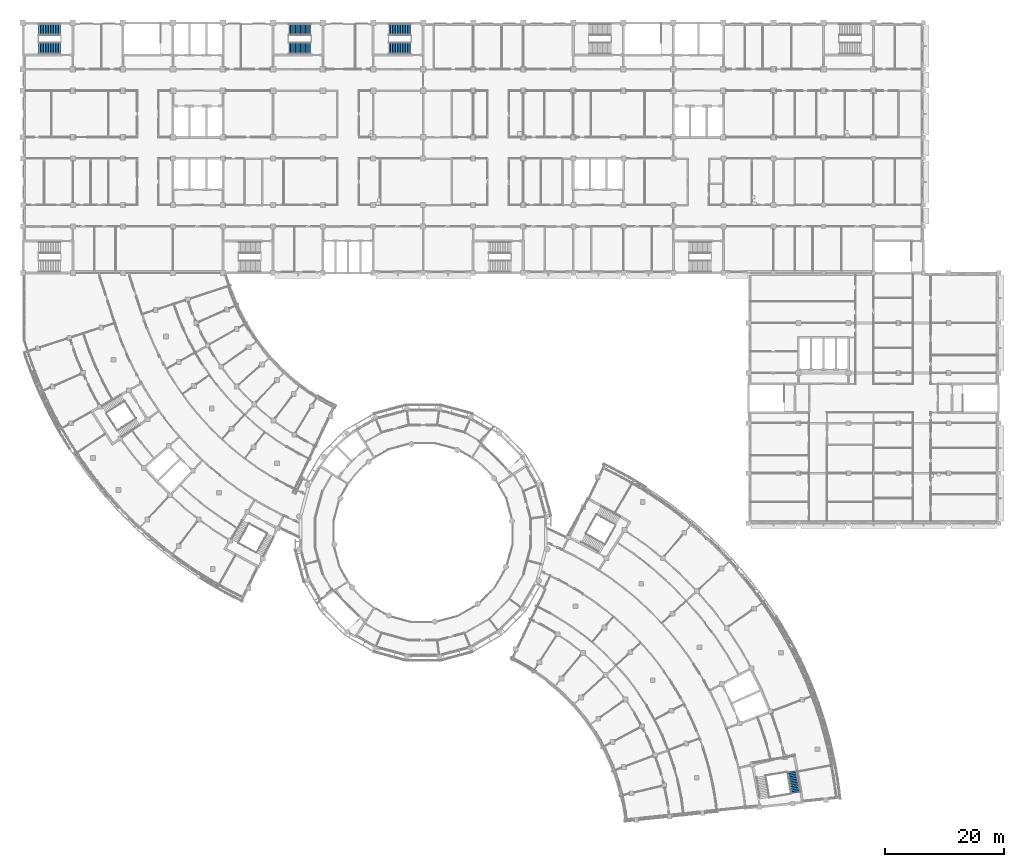
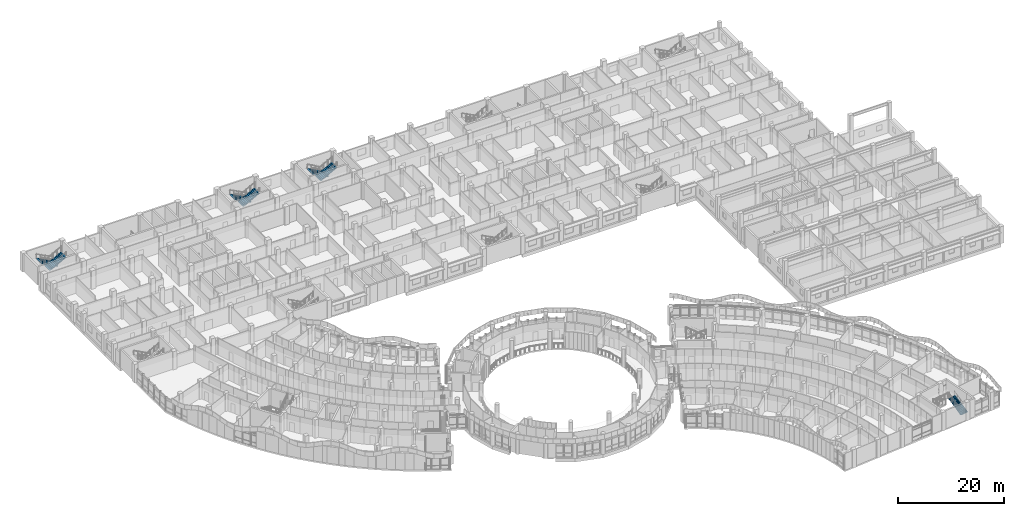
# One storey, part 78 of 109: 7 stair flights, 4 elements without a shape of their own.
"""IFC4 building model written with IfcOpenShell, lengths in metres."""

from ifc_helpers import new_model, si_unit, direction, frame, origin, place, context, subcontext, project, spatial, polyline, outline, extrude, material, type_object, element, aggregate, save


model = new_model("IFC4")

# Units and contexts
model_context = context("Model", 3, precision=1e-05, world=origin(), true_north=direction((0.0, 1.0)))
body_context = subcontext(model_context, "Body", "Model", "MODEL_VIEW")
ifc_project = project(units=[si_unit("LENGTHUNIT", "METRE"), si_unit("AREAUNIT", "SQUARE_METRE"), si_unit("VOLUMEUNIT", "CUBIC_METRE"), si_unit("PLANEANGLEUNIT", "RADIAN"), si_unit("MASSUNIT", "GRAM", prefix="KILO")], contexts=[model_context])

# Site, building, storey
site_placement = place(None, origin())
site = spatial("IfcSite", under=ifc_project, at=site_placement, CompositionType="ELEMENT")
building_placement = place(site_placement, origin())
building = spatial("IfcBuilding", under=site, at=building_placement, Name="Bougainvillea Quay General Hospital", CompositionType="ELEMENT")
storey_placement = place(building_placement, frame((0.0, 0.0, 12.60009765625)))
storey = spatial("IfcBuildingStorey", under=building, at=storey_placement, Name="L02", CompositionType="ELEMENT", Elevation=12.60009765625)

# Stair, stair flight
ifc_material = material(Name="Concrete C35", Category="concrete")
stair_type_1 = type_object("IfcStairType", Name="Stair half-turn 1650 wide", PredefinedType="HALF_TURN_STAIR", material=ifc_material)
stair_1_placement = place(storey_placement, origin())
stair_1 = element("IfcStair", 1, at=stair_1_placement, inside=storey, type_object=stair_type_1, Name="L02 stair ST-E2", PredefinedType="HALF_TURN_STAIR")
stair_flight_type_1 = type_object("IfcStairFlightType", Name="Stair flight 1650", PredefinedType="STRAIGHT", material=ifc_material)
stair_flight_1_placement = place(storey_placement, frame((171.761474609375, 30.370849609375, 0.0), z_axis=(0.0, 0.0, 1.0), x_axis=(-0.167737267749, 0.985831734632, 0.0)))
stair_flight_1 = element("IfcStairFlight", 2, at=stair_flight_1_placement, type_object=stair_flight_type_1, Name="ST-E2 flight 1", NumberOfRisers=14, NumberOfTreads=13, PredefinedType="STRAIGHT", RiserHeight=0.15, TreadLength=0.28, context=body_context, shape_type="SweptSolid", body=[
    extrude(outline(polyline([(-0.0029296875, 0.0), (-0.0029296875, 0.003662109375), (-0.0029296875, 0.00732421875), (-0.0029296875, 0.010986328125), (-0.0029296875, 0.0146484375), (-0.0029296875, 0.018310546875), (-0.0029296875, 0.02197265625), (-0.0029296875, 0.025634765625), (-0.0029296875, 0.029296875), (-0.0029296875, 0.032958984375), (-0.0029296875, 0.03662109375), (-0.0029296875, 0.040283203125), (-0.0029296875, 0.0439453125), (-0.0029296875, 0.047607421875), (-0.0029296875, 0.05126953125), (-0.0029296875, 0.054931640625), (-0.0029296875, 0.05859375), (-0.0029296875, 0.062255859375), (-0.0029296875, 0.06591796875), (-0.0029296875, 0.069580078125), (-0.0029296875, 0.0732421875), (-0.0029296875, 0.076904296875), (-0.0029296875, 0.08056640625), (-0.0029296875, 0.084228515625), (-0.0029296875, 0.087890625), (-0.0029296875, 0.091552734375), (-0.0029296875, 0.09521484375), (-0.0029296875, 0.098876953125), (-0.0029296875, 0.1025390625), (-0.0029296875, 0.106201171875), (-0.0029296875, 0.10986328125), (-0.0029296875, 0.113525390625), (-0.0029296875, 0.1171875), (-0.0029296875, 0.120849609375), (-0.0029296875, 0.12451171875), (-0.0029296875, 0.1279296875), (-0.0029296875, 0.131591796875), (-0.0029296875, 0.13525390625), (-0.0029296875, 0.138916015625), (-0.0029296875, 0.142578125), (-0.0029296875, 0.146240234375), (-0.0029296875, 0.14990234375), (0.280029296875, 0.14990234375), (0.280029296875, 0.300048828125), (0.56005859375, 0.300048828125), (0.56005859375, 0.449951171875), (0.840087890625, 0.449951171875), (0.840087890625, 0.60009765625), (1.1201171875, 0.60009765625), (1.1201171875, 0.75), (1.39990234375, 0.75), (1.39990234375, 0.89990234375), (1.679931640625, 0.89990234375), (1.679931640625, 1.050048828125), (1.9599609375, 1.050048828125), (1.9599609375, 1.199951171875), (2.239990234375, 1.199951171875), (2.239990234375, 1.35009765625), (2.52001953125, 1.35009765625), (2.52001953125, 1.5), (2.800048828125, 1.5), (2.800048828125, 1.64990234375), (3.080078125, 1.64990234375), (3.080078125, 1.800048828125), (3.360107421875, 1.800048828125), (3.360107421875, 1.949951171875), (3.64306640625, 1.949951171875), (3.64306640625, 1.94580078125), (3.64306640625, 1.941650390625), (3.64306640625, 1.9375), (3.64306640625, 1.933349609375), (3.64306640625, 1.92919921875), (3.64306640625, 1.925048828125), (3.64306640625, 1.9208984375), (3.64306640625, 1.916748046875), (3.64306640625, 1.91259765625), (3.64306640625, 1.908447265625), (3.64306640625, 1.904296875), (3.64306640625, 1.900146484375), (3.64306640625, 1.89599609375), (3.64306640625, 1.891845703125), (3.64306640625, 1.8876953125), (3.64306640625, 1.883544921875), (3.64306640625, 1.87939453125), (3.64306640625, 1.875244140625), (3.64306640625, 1.87109375), (3.64306640625, 1.866943359375), (3.64306640625, 1.86279296875), (3.64306640625, 1.858642578125), (3.64306640625, 1.8544921875), (3.64306640625, 1.850341796875), (3.64306640625, 1.84619140625), (3.64306640625, 1.842041015625), (3.64306640625, 1.837890625), (3.64306640625, 1.833984375), (3.64306640625, 1.829833984375), (3.64306640625, 1.82568359375), (3.64306640625, 1.821533203125), (3.64306640625, 1.8173828125), (3.64306640625, 1.813232421875), (3.64306640625, 1.80908203125), (3.64306640625, 1.804931640625), (3.64306640625, 1.80078125), (3.64306640625, 1.796630859375), (3.64306640625, 1.79248046875), (3.64306640625, 1.788330078125), (3.64306640625, 1.7841796875), (3.64306640625, 1.780029296875), (0.3173828125, 0.0), (-0.0029296875, 0.0)])), frame((0.0, 0.824951171875, 0.0), z_axis=(0.0, -1.0, 0.0), x_axis=(1.0, 0.0, 0.0)), (0.0, 0.0, 1.0), 1.64990234375),
])
aggregate(stair_1, [stair_flight_1])

# Stair, stair flights
stair_type_2 = type_object("IfcStairType", Name="Stair half-turn 1925 wide", PredefinedType="HALF_TURN_STAIR", material=ifc_material)
stair_2_placement = place(storey_placement, origin())
stair_2 = element("IfcStair", 3, at=stair_2_placement, inside=storey, type_object=stair_type_2, Name="L02 stair ST-A1", PredefinedType="HALF_TURN_STAIR")
stair_flight_type_2 = type_object("IfcStairFlightType", Name="Stair flight 1925", PredefinedType="STRAIGHT", material=ifc_material)
stair_flight_2_placement = place(storey_placement, frame((48.300048828125, 158.46240234375, 0.0), z_axis=(0.0, 0.0, 1.0), x_axis=(-1.0, 0.0, 0.0)))
stair_flight_2 = element("IfcStairFlight", 4, at=stair_flight_2_placement, type_object=stair_flight_type_2, Name="ST-A1 flight 1", NumberOfRisers=14, NumberOfTreads=13, PredefinedType="STRAIGHT", RiserHeight=0.15, TreadLength=0.28, context=body_context, shape_type="SweptSolid", body=[
    extrude(outline(polyline([(-0.0029296875, 0.0), (-0.0029296875, 0.003662109375), (-0.0029296875, 0.00732421875), (-0.0029296875, 0.010986328125), (-0.0029296875, 0.0146484375), (-0.0029296875, 0.018310546875), (-0.0029296875, 0.02197265625), (-0.0029296875, 0.025634765625), (-0.0029296875, 0.029296875), (-0.0029296875, 0.032958984375), (-0.0029296875, 0.03662109375), (-0.0029296875, 0.040283203125), (-0.0029296875, 0.0439453125), (-0.0029296875, 0.047607421875), (-0.0029296875, 0.05126953125), (-0.0029296875, 0.054931640625), (-0.0029296875, 0.05859375), (-0.0029296875, 0.062255859375), (-0.0029296875, 0.06591796875), (-0.0029296875, 0.069580078125), (-0.0029296875, 0.0732421875), (-0.0029296875, 0.076904296875), (-0.0029296875, 0.08056640625), (-0.0029296875, 0.084228515625), (-0.0029296875, 0.087890625), (-0.0029296875, 0.091552734375), (-0.0029296875, 0.09521484375), (-0.0029296875, 0.098876953125), (-0.0029296875, 0.1025390625), (-0.0029296875, 0.106201171875), (-0.0029296875, 0.10986328125), (-0.0029296875, 0.113525390625), (-0.0029296875, 0.1171875), (-0.0029296875, 0.120849609375), (-0.0029296875, 0.12451171875), (-0.0029296875, 0.1279296875), (-0.0029296875, 0.131591796875), (-0.0029296875, 0.13525390625), (-0.0029296875, 0.138916015625), (-0.0029296875, 0.142578125), (-0.0029296875, 0.146240234375), (-0.0029296875, 0.14990234375), (0.280029296875, 0.14990234375), (0.280029296875, 0.300048828125), (0.56005859375, 0.300048828125), (0.56005859375, 0.449951171875), (0.840087890625, 0.449951171875), (0.840087890625, 0.60009765625), (1.1201171875, 0.60009765625), (1.1201171875, 0.75), (1.39990234375, 0.75), (1.39990234375, 0.89990234375), (1.679931640625, 0.89990234375), (1.679931640625, 1.050048828125), (1.9599609375, 1.050048828125), (1.9599609375, 1.199951171875), (2.239990234375, 1.199951171875), (2.239990234375, 1.35009765625), (2.52001953125, 1.35009765625), (2.52001953125, 1.5), (2.800048828125, 1.5), (2.800048828125, 1.64990234375), (3.080078125, 1.64990234375), (3.080078125, 1.800048828125), (3.360107421875, 1.800048828125), (3.360107421875, 1.949951171875), (3.64306640625, 1.949951171875), (3.64306640625, 1.94580078125), (3.64306640625, 1.941650390625), (3.64306640625, 1.9375), (3.64306640625, 1.933349609375), (3.64306640625, 1.92919921875), (3.64306640625, 1.925048828125), (3.64306640625, 1.9208984375), (3.64306640625, 1.916748046875), (3.64306640625, 1.91259765625), (3.64306640625, 1.908447265625), (3.64306640625, 1.904296875), (3.64306640625, 1.900146484375), (3.64306640625, 1.89599609375), (3.64306640625, 1.891845703125), (3.64306640625, 1.8876953125), (3.64306640625, 1.883544921875), (3.64306640625, 1.87939453125), (3.64306640625, 1.875244140625), (3.64306640625, 1.87109375), (3.64306640625, 1.866943359375), (3.64306640625, 1.86279296875), (3.64306640625, 1.858642578125), (3.64306640625, 1.8544921875), (3.64306640625, 1.850341796875), (3.64306640625, 1.84619140625), (3.64306640625, 1.842041015625), (3.64306640625, 1.837890625), (3.64306640625, 1.833984375), (3.64306640625, 1.829833984375), (3.64306640625, 1.82568359375), (3.64306640625, 1.821533203125), (3.64306640625, 1.8173828125), (3.64306640625, 1.813232421875), (3.64306640625, 1.80908203125), (3.64306640625, 1.804931640625), (3.64306640625, 1.80078125), (3.64306640625, 1.796630859375), (3.64306640625, 1.79248046875), (3.64306640625, 1.788330078125), (3.64306640625, 1.7841796875), (3.64306640625, 1.780029296875), (0.3173828125, 0.0), (-0.0029296875, 0.0)])), frame((0.0, 0.96240234375, 0.0), z_axis=(0.0, -1.0, 0.0), x_axis=(1.0, 0.0, 0.0)), (0.0, 0.0, 1.0), 1.925048828125),
])
stair_flight_3_placement = place(storey_placement, frame((44.659912109375, 155.33740234375, 2.099853515625), z_axis=(0.0, 0.0, 1.0), x_axis=(1.0, 0.0, 0.0)))
stair_flight_3 = element("IfcStairFlight", 5, at=stair_flight_3_placement, type_object=stair_flight_type_2, Name="ST-A1 flight 2", NumberOfRisers=14, NumberOfTreads=13, PredefinedType="STRAIGHT", RiserHeight=0.15, TreadLength=0.28, context=body_context, shape_type="SweptSolid", body=[
    extrude(outline(polyline([(-0.0029296875, 0.0), (-0.0029296875, 0.003662109375), (-0.0029296875, 0.00732421875), (-0.0029296875, 0.010986328125), (-0.0029296875, 0.0146484375), (-0.0029296875, 0.018310546875), (-0.0029296875, 0.02197265625), (-0.0029296875, 0.025634765625), (-0.0029296875, 0.029296875), (-0.0029296875, 0.032958984375), (-0.0029296875, 0.03662109375), (-0.0029296875, 0.040283203125), (-0.0029296875, 0.0439453125), (-0.0029296875, 0.047607421875), (-0.0029296875, 0.05126953125), (-0.0029296875, 0.054931640625), (-0.0029296875, 0.05859375), (-0.0029296875, 0.062255859375), (-0.0029296875, 0.06591796875), (-0.0029296875, 0.069580078125), (-0.0029296875, 0.0732421875), (-0.0029296875, 0.076904296875), (-0.0029296875, 0.08056640625), (-0.0029296875, 0.084228515625), (-0.0029296875, 0.087890625), (-0.0029296875, 0.091552734375), (-0.0029296875, 0.09521484375), (-0.0029296875, 0.098876953125), (-0.0029296875, 0.1025390625), (-0.0029296875, 0.106201171875), (-0.0029296875, 0.10986328125), (-0.0029296875, 0.113525390625), (-0.0029296875, 0.1171875), (-0.0029296875, 0.120849609375), (-0.0029296875, 0.12451171875), (-0.0029296875, 0.1279296875), (-0.0029296875, 0.131591796875), (-0.0029296875, 0.13525390625), (-0.0029296875, 0.138916015625), (-0.0029296875, 0.142578125), (-0.0029296875, 0.146240234375), (-0.0029296875, 0.14990234375), (0.280029296875, 0.14990234375), (0.280029296875, 0.300048828125), (0.56005859375, 0.300048828125), (0.56005859375, 0.449951171875), (0.840087890625, 0.449951171875), (0.840087890625, 0.60009765625), (1.1201171875, 0.60009765625), (1.1201171875, 0.75), (1.39990234375, 0.75), (1.39990234375, 0.89990234375), (1.679931640625, 0.89990234375), (1.679931640625, 1.050048828125), (1.9599609375, 1.050048828125), (1.9599609375, 1.199951171875), (2.239990234375, 1.199951171875), (2.239990234375, 1.35009765625), (2.52001953125, 1.35009765625), (2.52001953125, 1.5), (2.800048828125, 1.5), (2.800048828125, 1.64990234375), (3.080078125, 1.64990234375), (3.080078125, 1.800048828125), (3.360107421875, 1.800048828125), (3.360107421875, 1.949951171875), (3.64306640625, 1.949951171875), (3.64306640625, 1.94580078125), (3.64306640625, 1.941650390625), (3.64306640625, 1.9375), (3.64306640625, 1.933349609375), (3.64306640625, 1.92919921875), (3.64306640625, 1.925048828125), (3.64306640625, 1.9208984375), (3.64306640625, 1.916748046875), (3.64306640625, 1.91259765625), (3.64306640625, 1.908447265625), (3.64306640625, 1.904296875), (3.64306640625, 1.900146484375), (3.64306640625, 1.89599609375), (3.64306640625, 1.891845703125), (3.64306640625, 1.8876953125), (3.64306640625, 1.883544921875), (3.64306640625, 1.87939453125), (3.64306640625, 1.875244140625), (3.64306640625, 1.87109375), (3.64306640625, 1.866943359375), (3.64306640625, 1.86279296875), (3.64306640625, 1.858642578125), (3.64306640625, 1.8544921875), (3.64306640625, 1.850341796875), (3.64306640625, 1.84619140625), (3.64306640625, 1.842041015625), (3.64306640625, 1.837890625), (3.64306640625, 1.833984375), (3.64306640625, 1.829833984375), (3.64306640625, 1.82568359375), (3.64306640625, 1.821533203125), (3.64306640625, 1.8173828125), (3.64306640625, 1.813232421875), (3.64306640625, 1.80908203125), (3.64306640625, 1.804931640625), (3.64306640625, 1.80078125), (3.64306640625, 1.796630859375), (3.64306640625, 1.79248046875), (3.64306640625, 1.788330078125), (3.64306640625, 1.7841796875), (3.64306640625, 1.780029296875), (0.3173828125, 0.0), (-0.0029296875, 0.0)])), frame((0.0, 0.96240234375, 0.0), z_axis=(0.0, -1.0, 0.0), x_axis=(1.0, 0.0, 0.0)), (0.0, 0.0, 1.0), 1.925048828125),
])
aggregate(stair_2, [stair_flight_2, stair_flight_3])

stair_3_placement = place(storey_placement, origin())
stair_3 = element("IfcStair", 6, at=stair_3_placement, inside=storey, type_object=stair_type_2, Name="L02 stair ST-A2", PredefinedType="HALF_TURN_STAIR")
stair_flight_4_placement = place(storey_placement, frame((90.300048828125, 158.46240234375, 0.0), z_axis=(0.0, 0.0, 1.0), x_axis=(-1.0, 0.0, 0.0)))
stair_flight_4 = element("IfcStairFlight", 7, at=stair_flight_4_placement, type_object=stair_flight_type_2, Name="ST-A2 flight 1", NumberOfRisers=14, NumberOfTreads=13, PredefinedType="STRAIGHT", RiserHeight=0.15, TreadLength=0.28, context=body_context, shape_type="SweptSolid", body=[
    extrude(outline(polyline([(-0.0029296875, 0.0), (-0.0029296875, 0.003662109375), (-0.0029296875, 0.00732421875), (-0.0029296875, 0.010986328125), (-0.0029296875, 0.0146484375), (-0.0029296875, 0.018310546875), (-0.0029296875, 0.02197265625), (-0.0029296875, 0.025634765625), (-0.0029296875, 0.029296875), (-0.0029296875, 0.032958984375), (-0.0029296875, 0.03662109375), (-0.0029296875, 0.040283203125), (-0.0029296875, 0.0439453125), (-0.0029296875, 0.047607421875), (-0.0029296875, 0.05126953125), (-0.0029296875, 0.054931640625), (-0.0029296875, 0.05859375), (-0.0029296875, 0.062255859375), (-0.0029296875, 0.06591796875), (-0.0029296875, 0.069580078125), (-0.0029296875, 0.0732421875), (-0.0029296875, 0.076904296875), (-0.0029296875, 0.08056640625), (-0.0029296875, 0.084228515625), (-0.0029296875, 0.087890625), (-0.0029296875, 0.091552734375), (-0.0029296875, 0.09521484375), (-0.0029296875, 0.098876953125), (-0.0029296875, 0.1025390625), (-0.0029296875, 0.106201171875), (-0.0029296875, 0.10986328125), (-0.0029296875, 0.113525390625), (-0.0029296875, 0.1171875), (-0.0029296875, 0.120849609375), (-0.0029296875, 0.12451171875), (-0.0029296875, 0.1279296875), (-0.0029296875, 0.131591796875), (-0.0029296875, 0.13525390625), (-0.0029296875, 0.138916015625), (-0.0029296875, 0.142578125), (-0.0029296875, 0.146240234375), (-0.0029296875, 0.14990234375), (0.280029296875, 0.14990234375), (0.280029296875, 0.300048828125), (0.56005859375, 0.300048828125), (0.56005859375, 0.449951171875), (0.840087890625, 0.449951171875), (0.840087890625, 0.60009765625), (1.1201171875, 0.60009765625), (1.1201171875, 0.75), (1.39990234375, 0.75), (1.39990234375, 0.89990234375), (1.679931640625, 0.89990234375), (1.679931640625, 1.050048828125), (1.9599609375, 1.050048828125), (1.9599609375, 1.199951171875), (2.239990234375, 1.199951171875), (2.239990234375, 1.35009765625), (2.52001953125, 1.35009765625), (2.52001953125, 1.5), (2.800048828125, 1.5), (2.800048828125, 1.64990234375), (3.080078125, 1.64990234375), (3.080078125, 1.800048828125), (3.360107421875, 1.800048828125), (3.360107421875, 1.949951171875), (3.64306640625, 1.949951171875), (3.64306640625, 1.94580078125), (3.64306640625, 1.941650390625), (3.64306640625, 1.9375), (3.64306640625, 1.933349609375), (3.64306640625, 1.92919921875), (3.64306640625, 1.925048828125), (3.64306640625, 1.9208984375), (3.64306640625, 1.916748046875), (3.64306640625, 1.91259765625), (3.64306640625, 1.908447265625), (3.64306640625, 1.904296875), (3.64306640625, 1.900146484375), (3.64306640625, 1.89599609375), (3.64306640625, 1.891845703125), (3.64306640625, 1.8876953125), (3.64306640625, 1.883544921875), (3.64306640625, 1.87939453125), (3.64306640625, 1.875244140625), (3.64306640625, 1.87109375), (3.64306640625, 1.866943359375), (3.64306640625, 1.86279296875), (3.64306640625, 1.858642578125), (3.64306640625, 1.8544921875), (3.64306640625, 1.850341796875), (3.64306640625, 1.84619140625), (3.64306640625, 1.842041015625), (3.64306640625, 1.837890625), (3.64306640625, 1.833984375), (3.64306640625, 1.829833984375), (3.64306640625, 1.82568359375), (3.64306640625, 1.821533203125), (3.64306640625, 1.8173828125), (3.64306640625, 1.813232421875), (3.64306640625, 1.80908203125), (3.64306640625, 1.804931640625), (3.64306640625, 1.80078125), (3.64306640625, 1.796630859375), (3.64306640625, 1.79248046875), (3.64306640625, 1.788330078125), (3.64306640625, 1.7841796875), (3.64306640625, 1.780029296875), (0.3173828125, 0.0), (-0.0029296875, 0.0)])), frame((0.0, 0.96240234375, 0.0), z_axis=(0.0, -1.0, 0.0), x_axis=(1.0, 0.0, 0.0)), (0.0, 0.0, 1.0), 1.925048828125),
])
stair_flight_5_placement = place(storey_placement, frame((86.659912109375, 155.33740234375, 2.099853515625), z_axis=(0.0, 0.0, 1.0), x_axis=(1.0, 0.0, 0.0)))
stair_flight_5 = element("IfcStairFlight", 8, at=stair_flight_5_placement, type_object=stair_flight_type_2, Name="ST-A2 flight 2", NumberOfRisers=14, NumberOfTreads=13, PredefinedType="STRAIGHT", RiserHeight=0.15, TreadLength=0.28, context=body_context, shape_type="SweptSolid", body=[
    extrude(outline(polyline([(-0.0029296875, 0.0), (-0.0029296875, 0.003662109375), (-0.0029296875, 0.00732421875), (-0.0029296875, 0.010986328125), (-0.0029296875, 0.0146484375), (-0.0029296875, 0.018310546875), (-0.0029296875, 0.02197265625), (-0.0029296875, 0.025634765625), (-0.0029296875, 0.029296875), (-0.0029296875, 0.032958984375), (-0.0029296875, 0.03662109375), (-0.0029296875, 0.040283203125), (-0.0029296875, 0.0439453125), (-0.0029296875, 0.047607421875), (-0.0029296875, 0.05126953125), (-0.0029296875, 0.054931640625), (-0.0029296875, 0.05859375), (-0.0029296875, 0.062255859375), (-0.0029296875, 0.06591796875), (-0.0029296875, 0.069580078125), (-0.0029296875, 0.0732421875), (-0.0029296875, 0.076904296875), (-0.0029296875, 0.08056640625), (-0.0029296875, 0.084228515625), (-0.0029296875, 0.087890625), (-0.0029296875, 0.091552734375), (-0.0029296875, 0.09521484375), (-0.0029296875, 0.098876953125), (-0.0029296875, 0.1025390625), (-0.0029296875, 0.106201171875), (-0.0029296875, 0.10986328125), (-0.0029296875, 0.113525390625), (-0.0029296875, 0.1171875), (-0.0029296875, 0.120849609375), (-0.0029296875, 0.12451171875), (-0.0029296875, 0.1279296875), (-0.0029296875, 0.131591796875), (-0.0029296875, 0.13525390625), (-0.0029296875, 0.138916015625), (-0.0029296875, 0.142578125), (-0.0029296875, 0.146240234375), (-0.0029296875, 0.14990234375), (0.280029296875, 0.14990234375), (0.280029296875, 0.300048828125), (0.56005859375, 0.300048828125), (0.56005859375, 0.449951171875), (0.840087890625, 0.449951171875), (0.840087890625, 0.60009765625), (1.1201171875, 0.60009765625), (1.1201171875, 0.75), (1.39990234375, 0.75), (1.39990234375, 0.89990234375), (1.679931640625, 0.89990234375), (1.679931640625, 1.050048828125), (1.9599609375, 1.050048828125), (1.9599609375, 1.199951171875), (2.239990234375, 1.199951171875), (2.239990234375, 1.35009765625), (2.52001953125, 1.35009765625), (2.52001953125, 1.5), (2.800048828125, 1.5), (2.800048828125, 1.64990234375), (3.080078125, 1.64990234375), (3.080078125, 1.800048828125), (3.360107421875, 1.800048828125), (3.360107421875, 1.949951171875), (3.64306640625, 1.949951171875), (3.64306640625, 1.94580078125), (3.64306640625, 1.941650390625), (3.64306640625, 1.9375), (3.64306640625, 1.933349609375), (3.64306640625, 1.92919921875), (3.64306640625, 1.925048828125), (3.64306640625, 1.9208984375), (3.64306640625, 1.916748046875), (3.64306640625, 1.91259765625), (3.64306640625, 1.908447265625), (3.64306640625, 1.904296875), (3.64306640625, 1.900146484375), (3.64306640625, 1.89599609375), (3.64306640625, 1.891845703125), (3.64306640625, 1.8876953125), (3.64306640625, 1.883544921875), (3.64306640625, 1.87939453125), (3.64306640625, 1.875244140625), (3.64306640625, 1.87109375), (3.64306640625, 1.866943359375), (3.64306640625, 1.86279296875), (3.64306640625, 1.858642578125), (3.64306640625, 1.8544921875), (3.64306640625, 1.850341796875), (3.64306640625, 1.84619140625), (3.64306640625, 1.842041015625), (3.64306640625, 1.837890625), (3.64306640625, 1.833984375), (3.64306640625, 1.829833984375), (3.64306640625, 1.82568359375), (3.64306640625, 1.821533203125), (3.64306640625, 1.8173828125), (3.64306640625, 1.813232421875), (3.64306640625, 1.80908203125), (3.64306640625, 1.804931640625), (3.64306640625, 1.80078125), (3.64306640625, 1.796630859375), (3.64306640625, 1.79248046875), (3.64306640625, 1.788330078125), (3.64306640625, 1.7841796875), (3.64306640625, 1.780029296875), (0.3173828125, 0.0), (-0.0029296875, 0.0)])), frame((0.0, 0.96240234375, 0.0), z_axis=(0.0, -1.0, 0.0), x_axis=(1.0, 0.0, 0.0)), (0.0, 0.0, 1.0), 1.925048828125),
])
aggregate(stair_3, [stair_flight_4, stair_flight_5])

stair_4_placement = place(storey_placement, origin())
stair_4 = element("IfcStair", 9, at=stair_4_placement, inside=storey, type_object=stair_type_2, Name="L02 stair ST-A5", PredefinedType="HALF_TURN_STAIR")
stair_flight_6_placement = place(storey_placement, frame((107.10009765625, 158.46240234375, 0.0), z_axis=(0.0, 0.0, 1.0), x_axis=(-1.0, 0.0, 0.0)))
stair_flight_6 = element("IfcStairFlight", 10, at=stair_flight_6_placement, type_object=stair_flight_type_2, Name="ST-A5 flight 1", NumberOfRisers=14, NumberOfTreads=13, PredefinedType="STRAIGHT", RiserHeight=0.15, TreadLength=0.28, context=body_context, shape_type="SweptSolid", body=[
    extrude(outline(polyline([(-0.0029296875, 0.0), (-0.0029296875, 0.003662109375), (-0.0029296875, 0.00732421875), (-0.0029296875, 0.010986328125), (-0.0029296875, 0.0146484375), (-0.0029296875, 0.018310546875), (-0.0029296875, 0.02197265625), (-0.0029296875, 0.025634765625), (-0.0029296875, 0.029296875), (-0.0029296875, 0.032958984375), (-0.0029296875, 0.03662109375), (-0.0029296875, 0.040283203125), (-0.0029296875, 0.0439453125), (-0.0029296875, 0.047607421875), (-0.0029296875, 0.05126953125), (-0.0029296875, 0.054931640625), (-0.0029296875, 0.05859375), (-0.0029296875, 0.062255859375), (-0.0029296875, 0.06591796875), (-0.0029296875, 0.069580078125), (-0.0029296875, 0.0732421875), (-0.0029296875, 0.076904296875), (-0.0029296875, 0.08056640625), (-0.0029296875, 0.084228515625), (-0.0029296875, 0.087890625), (-0.0029296875, 0.091552734375), (-0.0029296875, 0.09521484375), (-0.0029296875, 0.098876953125), (-0.0029296875, 0.1025390625), (-0.0029296875, 0.106201171875), (-0.0029296875, 0.10986328125), (-0.0029296875, 0.113525390625), (-0.0029296875, 0.1171875), (-0.0029296875, 0.120849609375), (-0.0029296875, 0.12451171875), (-0.0029296875, 0.1279296875), (-0.0029296875, 0.131591796875), (-0.0029296875, 0.13525390625), (-0.0029296875, 0.138916015625), (-0.0029296875, 0.142578125), (-0.0029296875, 0.146240234375), (-0.0029296875, 0.14990234375), (0.280029296875, 0.14990234375), (0.280029296875, 0.300048828125), (0.56005859375, 0.300048828125), (0.56005859375, 0.449951171875), (0.840087890625, 0.449951171875), (0.840087890625, 0.60009765625), (1.1201171875, 0.60009765625), (1.1201171875, 0.75), (1.39990234375, 0.75), (1.39990234375, 0.89990234375), (1.679931640625, 0.89990234375), (1.679931640625, 1.050048828125), (1.9599609375, 1.050048828125), (1.9599609375, 1.199951171875), (2.239990234375, 1.199951171875), (2.239990234375, 1.35009765625), (2.52001953125, 1.35009765625), (2.52001953125, 1.5), (2.800048828125, 1.5), (2.800048828125, 1.64990234375), (3.080078125, 1.64990234375), (3.080078125, 1.800048828125), (3.360107421875, 1.800048828125), (3.360107421875, 1.949951171875), (3.64306640625, 1.949951171875), (3.64306640625, 1.94580078125), (3.64306640625, 1.941650390625), (3.64306640625, 1.9375), (3.64306640625, 1.933349609375), (3.64306640625, 1.92919921875), (3.64306640625, 1.925048828125), (3.64306640625, 1.9208984375), (3.64306640625, 1.916748046875), (3.64306640625, 1.91259765625), (3.64306640625, 1.908447265625), (3.64306640625, 1.904296875), (3.64306640625, 1.900146484375), (3.64306640625, 1.89599609375), (3.64306640625, 1.891845703125), (3.64306640625, 1.8876953125), (3.64306640625, 1.883544921875), (3.64306640625, 1.87939453125), (3.64306640625, 1.875244140625), (3.64306640625, 1.87109375), (3.64306640625, 1.866943359375), (3.64306640625, 1.86279296875), (3.64306640625, 1.858642578125), (3.64306640625, 1.8544921875), (3.64306640625, 1.850341796875), (3.64306640625, 1.84619140625), (3.64306640625, 1.842041015625), (3.64306640625, 1.837890625), (3.64306640625, 1.833984375), (3.64306640625, 1.829833984375), (3.64306640625, 1.82568359375), (3.64306640625, 1.821533203125), (3.64306640625, 1.8173828125), (3.64306640625, 1.813232421875), (3.64306640625, 1.80908203125), (3.64306640625, 1.804931640625), (3.64306640625, 1.80078125), (3.64306640625, 1.796630859375), (3.64306640625, 1.79248046875), (3.64306640625, 1.788330078125), (3.64306640625, 1.7841796875), (3.64306640625, 1.780029296875), (0.3173828125, 0.0), (-0.0029296875, 0.0)])), frame((0.0, 0.96240234375, 0.0), z_axis=(0.0, -1.0, 0.0), x_axis=(1.0, 0.0, 0.0)), (0.0, 0.0, 1.0), 1.925048828125),
])
stair_flight_7_placement = place(storey_placement, frame((103.4599609375, 155.33740234375, 2.099853515625), z_axis=(0.0, 0.0, 1.0), x_axis=(1.0, 0.0, 0.0)))
stair_flight_7 = element("IfcStairFlight", 11, at=stair_flight_7_placement, type_object=stair_flight_type_2, Name="ST-A5 flight 2", NumberOfRisers=14, NumberOfTreads=13, PredefinedType="STRAIGHT", RiserHeight=0.15, TreadLength=0.28, context=body_context, shape_type="SweptSolid", body=[
    extrude(outline(polyline([(-0.0029296875, 0.0), (-0.0029296875, 0.003662109375), (-0.0029296875, 0.00732421875), (-0.0029296875, 0.010986328125), (-0.0029296875, 0.0146484375), (-0.0029296875, 0.018310546875), (-0.0029296875, 0.02197265625), (-0.0029296875, 0.025634765625), (-0.0029296875, 0.029296875), (-0.0029296875, 0.032958984375), (-0.0029296875, 0.03662109375), (-0.0029296875, 0.040283203125), (-0.0029296875, 0.0439453125), (-0.0029296875, 0.047607421875), (-0.0029296875, 0.05126953125), (-0.0029296875, 0.054931640625), (-0.0029296875, 0.05859375), (-0.0029296875, 0.062255859375), (-0.0029296875, 0.06591796875), (-0.0029296875, 0.069580078125), (-0.0029296875, 0.0732421875), (-0.0029296875, 0.076904296875), (-0.0029296875, 0.08056640625), (-0.0029296875, 0.084228515625), (-0.0029296875, 0.087890625), (-0.0029296875, 0.091552734375), (-0.0029296875, 0.09521484375), (-0.0029296875, 0.098876953125), (-0.0029296875, 0.1025390625), (-0.0029296875, 0.106201171875), (-0.0029296875, 0.10986328125), (-0.0029296875, 0.113525390625), (-0.0029296875, 0.1171875), (-0.0029296875, 0.120849609375), (-0.0029296875, 0.12451171875), (-0.0029296875, 0.1279296875), (-0.0029296875, 0.131591796875), (-0.0029296875, 0.13525390625), (-0.0029296875, 0.138916015625), (-0.0029296875, 0.142578125), (-0.0029296875, 0.146240234375), (-0.0029296875, 0.14990234375), (0.280029296875, 0.14990234375), (0.280029296875, 0.300048828125), (0.56005859375, 0.300048828125), (0.56005859375, 0.449951171875), (0.840087890625, 0.449951171875), (0.840087890625, 0.60009765625), (1.1201171875, 0.60009765625), (1.1201171875, 0.75), (1.39990234375, 0.75), (1.39990234375, 0.89990234375), (1.679931640625, 0.89990234375), (1.679931640625, 1.050048828125), (1.9599609375, 1.050048828125), (1.9599609375, 1.199951171875), (2.239990234375, 1.199951171875), (2.239990234375, 1.35009765625), (2.52001953125, 1.35009765625), (2.52001953125, 1.5), (2.800048828125, 1.5), (2.800048828125, 1.64990234375), (3.080078125, 1.64990234375), (3.080078125, 1.800048828125), (3.360107421875, 1.800048828125), (3.360107421875, 1.949951171875), (3.64306640625, 1.949951171875), (3.64306640625, 1.94580078125), (3.64306640625, 1.941650390625), (3.64306640625, 1.9375), (3.64306640625, 1.933349609375), (3.64306640625, 1.92919921875), (3.64306640625, 1.925048828125), (3.64306640625, 1.9208984375), (3.64306640625, 1.916748046875), (3.64306640625, 1.91259765625), (3.64306640625, 1.908447265625), (3.64306640625, 1.904296875), (3.64306640625, 1.900146484375), (3.64306640625, 1.89599609375), (3.64306640625, 1.891845703125), (3.64306640625, 1.8876953125), (3.64306640625, 1.883544921875), (3.64306640625, 1.87939453125), (3.64306640625, 1.875244140625), (3.64306640625, 1.87109375), (3.64306640625, 1.866943359375), (3.64306640625, 1.86279296875), (3.64306640625, 1.858642578125), (3.64306640625, 1.8544921875), (3.64306640625, 1.850341796875), (3.64306640625, 1.84619140625), (3.64306640625, 1.842041015625), (3.64306640625, 1.837890625), (3.64306640625, 1.833984375), (3.64306640625, 1.829833984375), (3.64306640625, 1.82568359375), (3.64306640625, 1.821533203125), (3.64306640625, 1.8173828125), (3.64306640625, 1.813232421875), (3.64306640625, 1.80908203125), (3.64306640625, 1.804931640625), (3.64306640625, 1.80078125), (3.64306640625, 1.796630859375), (3.64306640625, 1.79248046875), (3.64306640625, 1.788330078125), (3.64306640625, 1.7841796875), (3.64306640625, 1.780029296875), (0.3173828125, 0.0), (-0.0029296875, 0.0)])), frame((0.0, 0.96240234375, 0.0), z_axis=(0.0, -1.0, 0.0), x_axis=(1.0, 0.0, 0.0)), (0.0, 0.0, 1.0), 1.925048828125),
])
aggregate(stair_4, [stair_flight_6, stair_flight_7])

save(model, "model.ifc")
